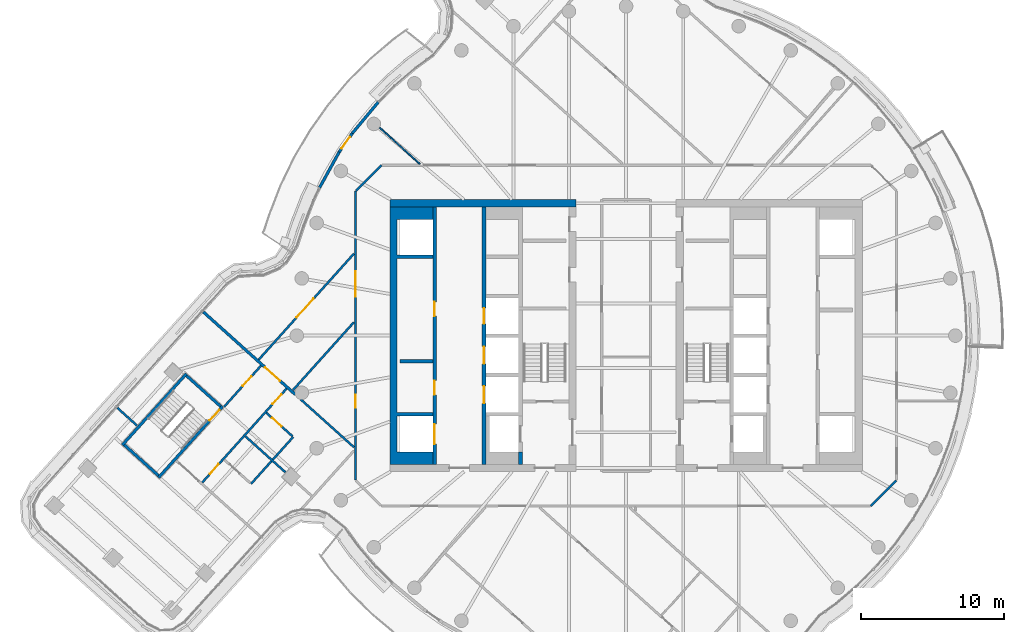
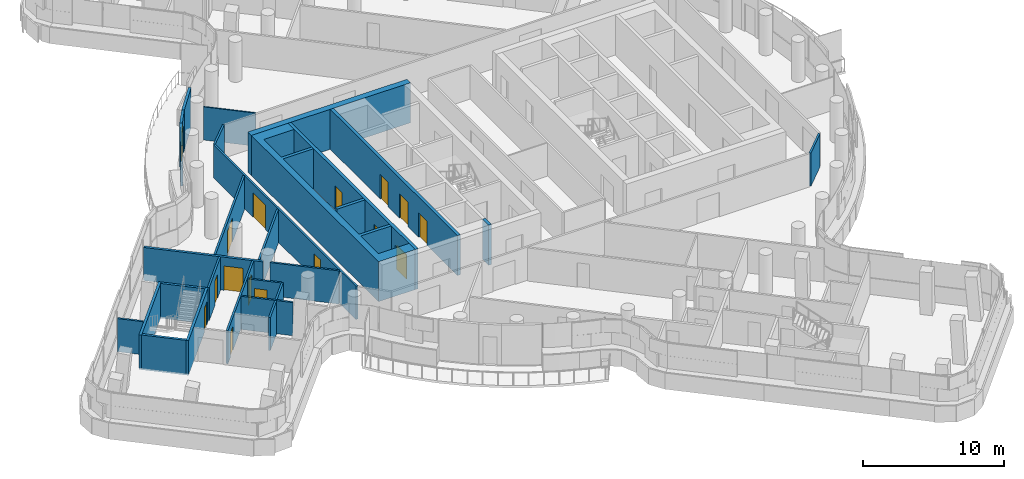
# One storey, part 20 of 31: 27 walls, 16 doors, 16 openings.
"""IFC4 building model written with IfcOpenShell, lengths in metres."""

from ifc_helpers import new_model, si_unit, direction, frame, frame_2d, origin, place, context, subcontext, project, spatial, polyline, rectangle, outline, extrude, material, layer, layer_set, type_object, element, fill, save


model = new_model("IFC4")

# Units and contexts
model_context = context("Model", 3, precision=1e-05, world=origin(), true_north=direction((0.0, 1.0)))
body_context = subcontext(model_context, "Body", "Model", "MODEL_VIEW")
ifc_project = project(units=[si_unit("LENGTHUNIT", "METRE"), si_unit("AREAUNIT", "SQUARE_METRE"), si_unit("VOLUMEUNIT", "CUBIC_METRE"), si_unit("PLANEANGLEUNIT", "RADIAN"), si_unit("MASSUNIT", "GRAM", prefix="KILO")], contexts=[model_context])

# Site, building, storey
site_placement = place(None, origin())
site = spatial("IfcSite", under=ifc_project, at=site_placement, CompositionType="ELEMENT")
building_placement = place(site_placement, origin())
building = spatial("IfcBuilding", under=site, at=building_placement, Name="Tamarind Cross Interchange Tower", CompositionType="ELEMENT")
storey_placement = place(building_placement, frame((0.0, 0.0, 207.699951171875)))
storey = spatial("IfcBuildingStorey", under=building, at=storey_placement, Name="L52", CompositionType="ELEMENT", Elevation=207.699951171875)

# Walls
ifc_material_1 = material(Name="Concrete C40", Category="concrete")
ifc_layer_1 = layer(ifc_material_1, 0.199951171875)
ifc_layer_set_1 = layer_set([ifc_layer_1], Name="Concrete C40")
wall_type_1 = type_object("IfcWallType", Name="Balcony and garden door wall", PredefinedType="SOLIDWALL", material=ifc_layer_set_1)
wall_1_placement = place(storey_placement, frame((-17.30419921875, 16.3154296875, 0.0), z_axis=(0.0, 0.0, 1.0), x_axis=(-0.640631790318, -0.767848233203, 0.0)))
element("IfcWall", 1, at=wall_1_placement, inside=storey, type_object=wall_type_1, Name="EXW-L52-10-D02L", PredefinedType="SOLIDWALL", context=body_context, shape_type="SweptSolid", body=[
    extrude(rectangle(XDim=2.843994140625, YDim=0.199951171875, at=frame_2d((1.421875, 0.0))), origin(), (0.0, 0.0, 1.0), 3.4599609375),
])
wall_2_placement = place(storey_placement, frame((-20.04150390625, 12.819580078125, 0.0), z_axis=(0.0, 0.0, 1.0), x_axis=(-0.482827762378, -0.87571533724, 0.0)))
element("IfcWall", 2, at=wall_2_placement, inside=storey, type_object=wall_type_1, Name="EXW-L52-10-D02R", PredefinedType="SOLIDWALL", context=body_context, shape_type="SweptSolid", body=[
    extrude(rectangle(XDim=2.8447265625, YDim=0.199951171875, at=frame_2d((1.42236328125, 0.0))), origin(), (0.0, 0.0, 1.0), 3.4599609375),
])

# Wall, opening, door
wall_3_placement = place(storey_placement, frame((-19.126220703125, 14.131591796875, 0.0), z_axis=(0.0, 0.0, 1.0), x_axis=(-0.572150562029, -0.820148605053, 0.0)))
wall_3 = element("IfcWall", 3, at=wall_3_placement, inside=storey, type_object=wall_type_1, Name="EXW-L52-10-D02", PredefinedType="SOLIDWALL", context=body_context, shape_type="SweptSolid", body=[
    extrude(rectangle(XDim=1.599609375, YDim=0.199951171875, at=frame_2d((0.7998046875, 0.0))), origin(), (0.0, 0.0, 1.0), 3.4599609375),
])
opening_1_placement = place(wall_3_placement, frame((0.2998046875, 0.0, 0.0)))
opening_1 = element("IfcOpeningElement", 4, at=opening_1_placement, cuts=wall_3, Name="Opening D2", PredefinedType="OPENING", context=body_context, shape_type="SweptSolid", body=[
    extrude(rectangle(XDim=1.0, YDim=2.39990234375, at=frame_2d((0.5, 1.199951171875))), frame((0.0, 0.10986328125, 0.0), z_axis=(0.0, -1.0, 0.0), x_axis=(1.0, 0.0, 0.0)), (0.0, 0.0, 1.0), 0.219970703125),
])
ifc_material_2 = material(Name="Aluminium and toughened glass", Category="aluminium")
door_type_1 = type_object("IfcDoorType", Name="Balcony and garden door", OperationType="SINGLE_SWING_LEFT", PredefinedType="DOOR", material=ifc_material_2)
door_1_placement = place(opening_1_placement, origin())
door_1 = element("IfcDoor", 5, at=door_1_placement, inside=storey, type_object=door_type_1, Name="DOR-L52-10-02", OperationType="SINGLE_SWING_LEFT", OverallHeight=2.39990234375, OverallWidth=1.0, PredefinedType="DOOR", context=body_context, shape_type="SweptSolid", body=[
    extrude(rectangle(XDim=1.0, YDim=2.39990234375, at=frame_2d((0.5, 1.199951171875))), frame((0.0, 0.02490234375, 0.0), z_axis=(0.0, -1.0, 0.0), x_axis=(1.0, 0.0, 0.0)), (0.0, 0.0, 1.0), 0.050048828125),
])
fill(opening_1, door_1)

# Walls
ifc_material_3 = material(Name="Concrete C55", Category="concrete")
ifc_layer_2 = layer(ifc_material_3, 0.5)
ifc_layer_set_2 = layer_set([ifc_layer_2], Name="Concrete C55")
wall_type_2 = type_object("IfcWallType", Name="Core wall 500 mm Concrete C55", PredefinedType="SHEAR", material=ifc_layer_set_2)
wall_4_placement = place(storey_placement, origin())
element("IfcWall", 6, at=wall_4_placement, inside=storey, type_object=wall_type_2, Name="Core wall CWL-L52-W-A", PredefinedType="SHEAR", context=body_context, shape_type="SweptSolid", body=[
    extrude(outline(polyline([(-13.5, -8.125), (-16.0, -8.125), (-16.0, -5.625), (-13.5, -5.625), (-13.5, -5.375), (-16.0, -5.375), (-16.0, 5.375), (-13.5, 5.375), (-13.5, 5.625), (-16.0, 5.625), (-16.0, 8.125), (-13.5, 8.125), (-13.5, 9.0), (-16.0, 9.0), (-16.5, 9.0), (-16.5, -9.0), (-16.0, -9.0), (-13.5, -9.0), (-13.5, -8.125)])), origin(), (0.0, 0.0, 1.0), 3.4599609375),
])
wall_5_placement = place(storey_placement, frame((-16.5, 9.25, 0.0), z_axis=(0.0, 0.0, 1.0), x_axis=(1.0, 0.0, 0.0)))
element("IfcWall", 7, at=wall_5_placement, inside=storey, type_object=wall_type_2, Name="Core wall CWL-L52-W-NE", PredefinedType="SHEAR", context=body_context, shape_type="SweptSolid", body=[
    extrude(rectangle(XDim=13.0, YDim=0.5, at=frame_2d((6.5, 0.0))), origin(), (0.0, 0.0, 1.0), 3.4599609375),
])
ifc_layer_3 = layer(ifc_material_3, 0.25)
ifc_layer_set_3 = layer_set([ifc_layer_3], Name="Concrete C55")
wall_type_3 = type_object("IfcWallType", Name="Core web wall 250 mm Concrete C55", PredefinedType="SHEAR", material=ifc_layer_set_3)
wall_6_placement = place(storey_placement, frame((-7.375, -9.0, 0.0), z_axis=(0.0, 0.0, 1.0), x_axis=(0.0, 1.0, 0.0)))
element("IfcWall", 8, at=wall_6_placement, inside=storey, type_object=wall_type_3, Name="Core wall CWL-L52-W-BW", PredefinedType="SHEAR", context=body_context, shape_type="SweptSolid", body=[
    extrude(rectangle(XDim=0.875, YDim=0.25, at=frame_2d((0.4375, 0.0))), origin(), (0.0, 0.0, 1.0), 3.4599609375),
])

# Wall, openings, doors
wall_7_placement = place(storey_placement, frame((-13.375, -9.0, 0.0), z_axis=(0.0, 0.0, 1.0), x_axis=(0.0, 1.0, 0.0)))
wall_7 = element("IfcWall", 9, at=wall_7_placement, inside=storey, type_object=wall_type_3, Name="Core wall CWL-L52-W-LA", PredefinedType="SHEAR", context=body_context, shape_type="SweptSolid", body=[
    extrude(rectangle(XDim=18.0, YDim=0.25, at=frame_2d((9.0, 0.0))), origin(), (0.0, 0.0, 1.0), 3.4599609375),
])
opening_2_placement = place(wall_7_placement, frame((1.425048828125, 0.0, 0.0)))
opening_2 = element("IfcOpeningElement", 10, at=opening_2_placement, cuts=wall_7, Name="Opening LD1L52", PredefinedType="OPENING", context=body_context, shape_type="SweptSolid", body=[
    extrude(rectangle(XDim=1.39990234375, YDim=2.10009765625, at=frame_2d((0.699951171875, 1.050048828125))), frame((0.0, 0.135009765625, 0.0), z_axis=(0.0, -1.0, 0.0), x_axis=(1.0, 0.0, 0.0)), (0.0, 0.0, 1.0), 0.27001953125),
])
opening_3_placement = place(wall_7_placement, frame((4.85400390625, 0.0, 0.0)))
opening_3 = element("IfcOpeningElement", 11, at=opening_3_placement, cuts=wall_7, Name="Opening DCW9", PredefinedType="OPENING", context=body_context, shape_type="SweptSolid", body=[
    extrude(rectangle(XDim=1.0, YDim=2.10009765625, at=frame_2d((0.5, 1.050048828125))), frame((0.0, 0.135009765625, 0.0), z_axis=(0.0, -1.0, 0.0), x_axis=(1.0, 0.0, 0.0)), (0.0, 0.0, 1.0), 0.27001953125),
])
opening_4_placement = place(wall_7_placement, frame((10.35400390625, 0.0, 0.0)))
opening_4 = element("IfcOpeningElement", 12, at=opening_4_placement, cuts=wall_7, Name="Opening DCW10", PredefinedType="OPENING", context=body_context, shape_type="SweptSolid", body=[
    extrude(rectangle(XDim=1.0, YDim=2.10009765625, at=frame_2d((0.5, 1.050048828125))), frame((0.0, 0.135009765625, 0.0), z_axis=(0.0, -1.0, 0.0), x_axis=(1.0, 0.0, 0.0)), (0.0, 0.0, 1.0), 0.27001953125),
])
ifc_material_4 = material(Name="Steel, fire-resisting", Category="steel")
door_type_2 = type_object("IfcDoorType", Name="Core fire door 1000 x 2100 FD90", OperationType="SINGLE_SWING_LEFT", PredefinedType="DOOR", material=ifc_material_4)
door_2_placement = place(opening_3_placement, origin())
door_2 = element("IfcDoor", 13, at=door_2_placement, inside=storey, type_object=door_type_2, Name="L52 Staff changing room door", OperationType="SINGLE_SWING_LEFT", OverallHeight=2.10009765625, OverallWidth=1.0, PredefinedType="DOOR", context=body_context, shape_type="SweptSolid", body=[
    extrude(rectangle(XDim=1.0, YDim=2.10009765625, at=frame_2d((0.5, 1.050048828125))), frame((0.0, 0.02490234375, 0.0), z_axis=(0.0, -1.0, 0.0), x_axis=(1.0, 0.0, 0.0)), (0.0, 0.0, 1.0), 0.050048828125),
])
fill(opening_3, door_2)
door_3_placement = place(opening_4_placement, origin())
door_3 = element("IfcDoor", 14, at=door_3_placement, inside=storey, type_object=door_type_2, Name="L52 Ice and vending room door", OperationType="SINGLE_SWING_LEFT", OverallHeight=2.10009765625, OverallWidth=1.0, PredefinedType="DOOR", context=body_context, shape_type="SweptSolid", body=[
    extrude(rectangle(XDim=1.0, YDim=2.10009765625, at=frame_2d((0.5, 1.050048828125))), frame((0.0, 0.02490234375, 0.0), z_axis=(0.0, -1.0, 0.0), x_axis=(1.0, 0.0, 0.0)), (0.0, 0.0, 1.0), 0.050048828125),
])
fill(opening_4, door_3)
ifc_material_5 = material(Name="Stainless steel panel", Category="steel")
door_type_3 = type_object("IfcDoorType", Name="Lift landing door 1400 x 2100 E 120", OperationType="SLIDING_TO_LEFT", PredefinedType="DOOR", material=ifc_material_5)
door_4_placement = place(opening_2_placement, origin())
door_4 = element("IfcDoor", 15, at=door_4_placement, inside=storey, type_object=door_type_3, Name="L52 landing door LF1", OperationType="SLIDING_TO_LEFT", OverallHeight=2.10009765625, OverallWidth=1.39990234375, PredefinedType="DOOR", context=body_context, shape_type="SweptSolid", body=[
    extrude(rectangle(XDim=1.39990234375, YDim=2.10009765625, at=frame_2d((0.699951171875, 1.050048828125))), frame((0.0, 0.02490234375, 0.0), z_axis=(0.0, -1.0, 0.0), x_axis=(1.0, 0.0, 0.0)), (0.0, 0.0, 1.0), 0.050048828125),
])
fill(opening_2, door_4)

wall_8_placement = place(storey_placement, frame((-9.925048828125, -9.0, 0.0), z_axis=(0.0, 0.0, 1.0), x_axis=(0.0, 1.0, 0.0)))
wall_8 = element("IfcWall", 16, at=wall_8_placement, inside=storey, type_object=wall_type_3, Name="Core wall CWL-L52-W-LB", PredefinedType="SHEAR", context=body_context, shape_type="SweptSolid", body=[
    extrude(rectangle(XDim=18.0, YDim=0.25, at=frame_2d((9.0, 0.0))), origin(), (0.0, 0.0, 1.0), 3.4599609375),
])
opening_5_placement = place(wall_8_placement, frame((4.27490234375, 0.0, 0.0)))
opening_5 = element("IfcOpeningElement", 17, at=opening_5_placement, cuts=wall_8, Name="Opening LD8L52", PredefinedType="OPENING", context=body_context, shape_type="SweptSolid", body=[
    extrude(rectangle(XDim=1.199951171875, YDim=2.10009765625, at=frame_2d((0.60009765625, 1.050048828125))), frame((0.0, 0.135009765625, 0.0), z_axis=(0.0, -1.0, 0.0), x_axis=(1.0, 0.0, 0.0)), (0.0, 0.0, 1.0), 0.27001953125),
])
opening_6_placement = place(wall_8_placement, frame((7.02490234375, 0.0, 0.0)))
opening_6 = element("IfcOpeningElement", 18, at=opening_6_placement, cuts=wall_8, Name="Opening LD9L52", PredefinedType="OPENING", context=body_context, shape_type="SweptSolid", body=[
    extrude(rectangle(XDim=1.199951171875, YDim=2.10009765625, at=frame_2d((0.60009765625, 1.050048828125))), frame((0.0, 0.135009765625, 0.0), z_axis=(0.0, -1.0, 0.0), x_axis=(1.0, 0.0, 0.0)), (0.0, 0.0, 1.0), 0.27001953125),
])
opening_7_placement = place(wall_8_placement, frame((9.824951171875, 0.0, 0.0)))
opening_7 = element("IfcOpeningElement", 19, at=opening_7_placement, cuts=wall_8, Name="Opening LD10L52", PredefinedType="OPENING", context=body_context, shape_type="SweptSolid", body=[
    extrude(rectangle(XDim=1.10009765625, YDim=2.10009765625, at=frame_2d((0.550048828125, 1.050048828125))), frame((0.0, 0.135009765625, 0.0), z_axis=(0.0, -1.0, 0.0), x_axis=(1.0, 0.0, 0.0)), (0.0, 0.0, 1.0), 0.27001953125),
])
door_type_4 = type_object("IfcDoorType", Name="Lift landing door 1100 x 2100 E 120", OperationType="SLIDING_TO_LEFT", PredefinedType="DOOR", material=ifc_material_5)
door_5_placement = place(opening_7_placement, origin())
door_5 = element("IfcDoor", 20, at=door_5_placement, inside=storey, type_object=door_type_4, Name="L52 landing door LF10", OperationType="SLIDING_TO_LEFT", OverallHeight=2.10009765625, OverallWidth=1.10009765625, PredefinedType="DOOR", context=body_context, shape_type="SweptSolid", body=[
    extrude(rectangle(XDim=1.10009765625, YDim=2.10009765625, at=frame_2d((0.550048828125, 1.050048828125))), frame((0.0, 0.02490234375, 0.0), z_axis=(0.0, -1.0, 0.0), x_axis=(1.0, 0.0, 0.0)), (0.0, 0.0, 1.0), 0.050048828125),
])
fill(opening_7, door_5)
door_type_5 = type_object("IfcDoorType", Name="Lift landing door 1200 x 2100 E 120", OperationType="SLIDING_TO_LEFT", PredefinedType="DOOR", material=ifc_material_5)
door_6_placement = place(opening_5_placement, origin())
door_6 = element("IfcDoor", 21, at=door_6_placement, inside=storey, type_object=door_type_5, Name="L52 landing door LF8", OperationType="SLIDING_TO_LEFT", OverallHeight=2.10009765625, OverallWidth=1.199951171875, PredefinedType="DOOR", context=body_context, shape_type="SweptSolid", body=[
    extrude(rectangle(XDim=1.199951171875, YDim=2.10009765625, at=frame_2d((0.60009765625, 1.050048828125))), frame((0.0, 0.02490234375, 0.0), z_axis=(0.0, -1.0, 0.0), x_axis=(1.0, 0.0, 0.0)), (0.0, 0.0, 1.0), 0.050048828125),
])
fill(opening_5, door_6)
door_7_placement = place(opening_6_placement, origin())
door_7 = element("IfcDoor", 22, at=door_7_placement, inside=storey, type_object=door_type_5, Name="L52 landing door LF9", OperationType="SLIDING_TO_LEFT", OverallHeight=2.10009765625, OverallWidth=1.199951171875, PredefinedType="DOOR", context=body_context, shape_type="SweptSolid", body=[
    extrude(rectangle(XDim=1.199951171875, YDim=2.10009765625, at=frame_2d((0.60009765625, 1.050048828125))), frame((0.0, 0.02490234375, 0.0), z_axis=(0.0, -1.0, 0.0), x_axis=(1.0, 0.0, 0.0)), (0.0, 0.0, 1.0), 0.050048828125),
])
fill(opening_6, door_7)

# Walls
ifc_material_6 = material(Name="Gypsum board partition on steel studs", Category="steel")
ifc_layer_4 = layer(ifc_material_6, 0.10009765625)
ifc_layer_set_4 = layer_set([ifc_layer_4], Name="Gypsum board partition on steel studs")
wall_type_4 = type_object("IfcWallType", Name="Partition 100 mm EI 120", PredefinedType="PARTITIONING", material=ifc_layer_set_4)
wall_9_placement = place(storey_placement, frame((-17.21728515625, 14.5234375, 0.0), z_axis=(0.0, 0.0, 1.0), x_axis=(0.743919147791, -0.668269632372, 0.0)))
element("IfcWall", 23, at=wall_9_placement, inside=storey, type_object=wall_type_4, Name="Partition L52-012", PredefinedType="PARTITIONING", context=body_context, shape_type="SweptSolid", body=[
    extrude(rectangle(XDim=3.78564453125, YDim=0.10009765625, at=frame_2d((1.892822265625, 0.0))), origin(), (0.0, 0.0, 1.0), 2.864013671875),
])
ifc_layer_5 = layer(ifc_material_6, 0.14990234375)
ifc_layer_set_5 = layer_set([ifc_layer_5], Name="Gypsum board partition on steel studs")
wall_type_5 = type_object("IfcWallType", Name="Partition 150 mm EI 120", PredefinedType="PARTITIONING", material=ifc_layer_set_5)
wall_10_placement = place(storey_placement, frame((-35.537841796875, -5.044189453125, 0.0), z_axis=(0.0, 0.0, 1.0), x_axis=(0.743796813973, -0.668405789565, 0.0)))
element("IfcWall", 24, at=wall_10_placement, inside=storey, type_object=wall_type_5, Name="Partition L52-004", PredefinedType="PARTITIONING", context=body_context, shape_type="SweptSolid", body=[
    extrude(rectangle(XDim=1.85888671875, YDim=0.14990234375, at=frame_2d((0.929443359375, 0.0))), origin(), (0.0, 0.0, 1.0), 2.864013671875),
])
wall_11_placement = place(storey_placement, frame((-22.7216796875, -4.4599609375, 0.0), z_axis=(0.0, 0.0, 1.0), x_axis=(0.743940554758, -0.668245801323, 0.0)))
element("IfcWall", 25, at=wall_11_placement, inside=storey, type_object=wall_type_5, Name="Partition L52-007", PredefinedType="PARTITIONING", context=body_context, shape_type="SweptSolid", body=[
    extrude(rectangle(XDim=4.992919921875, YDim=0.14990234375, at=frame_2d((2.49658203125, 0.0))), origin(), (0.0, 0.0, 1.0), 2.864013671875),
])
wall_12_placement = place(storey_placement, frame((-26.595458984375, -7.029541015625, 0.0), z_axis=(0.0, 0.0, 1.0), x_axis=(0.743787837413, -0.668415778477, 0.0)))
element("IfcWall", 26, at=wall_12_placement, inside=storey, type_object=wall_type_5, Name="Partition L52-009", PredefinedType="PARTITIONING", context=body_context, shape_type="SweptSolid", body=[
    extrude(rectangle(XDim=3.7607421875, YDim=0.14990234375, at=frame_2d((1.88037109375, 0.0))), origin(), (0.0, 0.0, 1.0), 2.864013671875),
])

# Wall, opening, door
wall_13_placement = place(storey_placement, frame((-25.12451171875, -5.3935546875, 0.0), z_axis=(0.0, 0.0, 1.0), x_axis=(0.743993991254, -0.668186307087, 0.0)))
wall_13 = element("IfcWall", 27, at=wall_13_placement, inside=storey, type_object=wall_type_5, Name="Partition L52-011", PredefinedType="PARTITIONING", context=body_context, shape_type="SweptSolid", body=[
    extrude(rectangle(XDim=2.4443359375, YDim=0.14990234375, at=frame_2d((1.22216796875, 0.0))), origin(), (0.0, 0.0, 1.0), 2.864013671875),
])
opening_8_placement = place(wall_13_placement, frame((0.52001953125, 0.0, 0.0)))
opening_8 = element("IfcOpeningElement", 28, at=opening_8_placement, cuts=wall_13, Name="Opening D05", PredefinedType="OPENING", context=body_context, shape_type="SweptSolid", body=[
    extrude(rectangle(XDim=0.89990234375, YDim=2.10009765625, at=frame_2d((0.449951171875, 1.050048828125))), frame((0.0, 0.0849609375, 0.0), z_axis=(0.0, -1.0, 0.0), x_axis=(1.0, 0.0, 0.0)), (0.0, 0.0, 1.0), 0.169921875),
])
ifc_material_7 = material(Name="Fire-resisting door set")
door_type_6 = type_object("IfcDoorType", Name="Interior door 900 x 2100 FD60S", OperationType="SINGLE_SWING_LEFT", PredefinedType="DOOR", material=ifc_material_7)
door_8_placement = place(opening_8_placement, frame((0.89990234375, 0.0, 0.0), z_axis=(0.0, 0.0, 1.0), x_axis=(-1.0, 0.0, 0.0)))
door_8 = element("IfcDoor", 29, at=door_8_placement, inside=storey, type_object=door_type_6, Name="Door D05", OperationType="SINGLE_SWING_LEFT", OverallHeight=2.10009765625, OverallWidth=0.89990234375, PredefinedType="DOOR", context=body_context, shape_type="SweptSolid", body=[
    extrude(rectangle(XDim=0.89990234375, YDim=2.10009765625, at=frame_2d((0.449951171875, 1.050048828125))), frame((0.0, 0.02490234375, 0.0), z_axis=(0.0, -1.0, 0.0), x_axis=(1.0, 0.0, 0.0)), (0.0, 0.0, 1.0), 0.050048828125),
])
fill(opening_8, door_8)

# Walls
for number, where, z_axis, x_axis, name in (
    (30, (-18.87158203125, 10.12841796875, 0.0), (0.0, 0.0, 1.0), (0.707106781187, 0.707106781187, 0.0), "Partition L52-036"),
    (31, (17.10009765625, -11.89990234375, 0.0), (0.0, 0.0, 1.0), (0.707106781187, 0.707106781187, 0.0), "Partition L52-037"),
):
    element("IfcWall", number, at=place(storey_placement, frame(where, z_axis=z_axis, x_axis=x_axis)), inside=storey, type_object=wall_type_5, Name=name, PredefinedType="PARTITIONING", context=body_context, shape_type="SweptSolid", body=[
        extrude(rectangle(XDim=2.50537109375, YDim=0.14990234375, at=frame_2d((1.252685546875, 0.0))), origin(), (0.0, 0.0, 1.0), 2.864013671875),
    ])

# Wall, openings, doors
wall_14_placement = place(storey_placement, frame((-29.6083984375, -10.263427734375, 0.0), z_axis=(0.0, 0.0, 1.0), x_axis=(0.668251718521, 0.743935239583, 0.0)))
wall_14 = element("IfcWall", 32, at=wall_14_placement, inside=storey, type_object=wall_type_5, Name="Partition L52-038", PredefinedType="PARTITIONING", context=body_context, shape_type="SweptSolid", body=[
    extrude(rectangle(XDim=8.8193359375, YDim=0.14990234375, at=frame_2d((4.40966796875, 0.0))), origin(), (0.0, 0.0, 1.0), 2.864013671875),
])
opening_9_placement = place(wall_14_placement, frame((7.369384765625, 0.0, 0.0)))
opening_9 = element("IfcOpeningElement", 33, at=opening_9_placement, cuts=wall_14, Name="Opening D25", PredefinedType="OPENING", context=body_context, shape_type="SweptSolid", body=[
    extrude(rectangle(XDim=0.89990234375, YDim=2.10009765625, at=frame_2d((0.449951171875, 1.050048828125))), frame((0.0, 0.0849609375, 0.0), z_axis=(0.0, -1.0, 0.0), x_axis=(1.0, 0.0, 0.0)), (0.0, 0.0, 1.0), 0.169921875),
])
opening_10_placement = place(wall_14_placement, frame((0.820068359375, 0.0, 0.0)))
opening_10 = element("IfcOpeningElement", 34, at=opening_10_placement, cuts=wall_14, Name="Opening D26", PredefinedType="OPENING", context=body_context, shape_type="SweptSolid", body=[
    extrude(rectangle(XDim=0.89990234375, YDim=2.10009765625, at=frame_2d((0.449951171875, 1.050048828125))), frame((0.0, 0.0849609375, 0.0), z_axis=(0.0, -1.0, 0.0), x_axis=(1.0, 0.0, 0.0)), (0.0, 0.0, 1.0), 0.169921875),
])
door_9_placement = place(opening_9_placement, frame((0.89990234375, 0.0, 0.0), z_axis=(0.0, 0.0, 1.0), x_axis=(-1.0, 0.0, 0.0)))
door_9 = element("IfcDoor", 35, at=door_9_placement, inside=storey, type_object=door_type_6, Name="Door D25", OperationType="SINGLE_SWING_RIGHT", OverallHeight=2.10009765625, OverallWidth=0.89990234375, PredefinedType="DOOR", context=body_context, shape_type="SweptSolid", body=[
    extrude(rectangle(XDim=0.89990234375, YDim=2.10009765625, at=frame_2d((0.449951171875, 1.050048828125))), frame((0.0, 0.02490234375, 0.0), z_axis=(0.0, -1.0, 0.0), x_axis=(1.0, 0.0, 0.0)), (0.0, 0.0, 1.0), 0.050048828125),
])
fill(opening_9, door_9)
door_10_placement = place(opening_10_placement, frame((0.89990234375, 0.0, 0.0), z_axis=(0.0, 0.0, 1.0), x_axis=(-1.0, 0.0, 0.0)))
door_10 = element("IfcDoor", 36, at=door_10_placement, inside=storey, type_object=door_type_6, Name="Door D26", OperationType="SINGLE_SWING_LEFT", OverallHeight=2.10009765625, OverallWidth=0.89990234375, PredefinedType="DOOR", context=body_context, shape_type="SweptSolid", body=[
    extrude(rectangle(XDim=0.89990234375, YDim=2.10009765625, at=frame_2d((0.449951171875, 1.050048828125))), frame((0.0, 0.02490234375, 0.0), z_axis=(0.0, -1.0, 0.0), x_axis=(1.0, 0.0, 0.0)), (0.0, 0.0, 1.0), 0.050048828125),
])
fill(opening_10, door_10)

# Wall, opening, door
wall_15_placement = place(storey_placement, frame((-28.078369140625, -4.97021484375, 0.0), z_axis=(0.0, 0.0, 1.0), x_axis=(0.668366899889, 0.743831759965, 0.0)))
wall_15 = element("IfcWall", 37, at=wall_15_placement, inside=storey, type_object=wall_type_5, Name="Partition L52-039", PredefinedType="PARTITIONING", context=body_context, shape_type="SweptSolid", body=[
    extrude(rectangle(XDim=3.859619140625, YDim=0.14990234375, at=frame_2d((1.9296875, 0.0))), origin(), (0.0, 0.0, 1.0), 2.864013671875),
])
opening_11_placement = place(wall_15_placement, frame((1.949951171875, 0.0, 0.0)))
opening_11 = element("IfcOpeningElement", 38, at=opening_11_placement, cuts=wall_15, Name="Opening D27", PredefinedType="OPENING", context=body_context, shape_type="SweptSolid", body=[
    extrude(rectangle(XDim=0.89990234375, YDim=2.10009765625, at=frame_2d((0.449951171875, 1.050048828125))), frame((0.0, 0.0849609375, 0.0), z_axis=(0.0, -1.0, 0.0), x_axis=(1.0, 0.0, 0.0)), (0.0, 0.0, 1.0), 0.169921875),
])
door_11_placement = place(opening_11_placement, origin())
door_11 = element("IfcDoor", 39, at=door_11_placement, inside=storey, type_object=door_type_6, Name="Door D27", OperationType="SINGLE_SWING_LEFT", OverallHeight=2.10009765625, OverallWidth=0.89990234375, PredefinedType="DOOR", context=body_context, shape_type="SweptSolid", body=[
    extrude(rectangle(XDim=0.89990234375, YDim=2.10009765625, at=frame_2d((0.449951171875, 1.050048828125))), frame((0.0, 0.02490234375, 0.0), z_axis=(0.0, -1.0, 0.0), x_axis=(1.0, 0.0, 0.0)), (0.0, 0.0, 1.0), 0.050048828125),
])
fill(opening_11, door_11)

# Wall
wall_16_placement = place(storey_placement, frame((-26.19091796875, -10.35009765625, 0.0), z_axis=(0.0, 0.0, 1.0), x_axis=(0.66834223487, 0.743853921875, 0.0)))
element("IfcWall", 40, at=wall_16_placement, inside=storey, type_object=wall_type_5, Name="Partition L52-040", PredefinedType="PARTITIONING", context=body_context, shape_type="SweptSolid", body=[
    extrude(rectangle(XDim=4.400390625, YDim=0.14990234375, at=frame_2d((2.2001953125, 0.0))), origin(), (0.0, 0.0, 1.0), 2.864013671875),
])

# Wall, opening, door
wall_17_placement = place(storey_placement, frame((-25.6630859375, -1.6826171875, 0.0), z_axis=(0.0, 0.0, 1.0), x_axis=(0.668369322351, 0.743829583265, 0.0)))
wall_17 = element("IfcWall", 41, at=wall_17_placement, inside=storey, type_object=wall_type_5, Name="Partition L52-041", PredefinedType="PARTITIONING", context=body_context, shape_type="SweptSolid", body=[
    extrude(rectangle(XDim=9.94873046875, YDim=0.14990234375, at=frame_2d((4.974365234375, 0.0))), origin(), (0.0, 0.0, 1.0), 2.864013671875),
])
opening_12_placement = place(wall_17_placement, frame((3.949951171875, 0.0, 0.0)))
opening_12 = element("IfcOpeningElement", 42, at=opening_12_placement, cuts=wall_17, Name="Opening D28", PredefinedType="OPENING", context=body_context, shape_type="SweptSolid", body=[
    extrude(rectangle(XDim=1.800048828125, YDim=2.10009765625, at=frame_2d((0.89990234375, 1.050048828125))), frame((0.0, 0.0849609375, 0.0), z_axis=(0.0, -1.0, 0.0), x_axis=(1.0, 0.0, 0.0)), (0.0, 0.0, 1.0), 0.169921875),
])
door_type_7 = type_object("IfcDoorType", Name="Interior door 1800 x 2100 FD60S", OperationType="DOUBLE_DOOR_SINGLE_SWING", PredefinedType="DOOR", material=ifc_material_7)
door_12_placement = place(opening_12_placement, origin())
door_12 = element("IfcDoor", 43, at=door_12_placement, inside=storey, type_object=door_type_7, Name="Door D28", OperationType="DOUBLE_DOOR_SINGLE_SWING", OverallHeight=2.10009765625, OverallWidth=1.800048828125, PredefinedType="DOOR", context=body_context, shape_type="SweptSolid", body=[
    extrude(rectangle(XDim=1.800048828125, YDim=2.10009765625, at=frame_2d((0.89990234375, 1.050048828125))), frame((0.0, 0.02490234375, 0.0), z_axis=(0.0, -1.0, 0.0), x_axis=(1.0, 0.0, 0.0)), (0.0, 0.0, 1.0), 0.050048828125),
])
fill(opening_12, door_12)

# Wall
wall_18_placement = place(storey_placement, frame((-23.269775390625, -3.806640625, 0.0), z_axis=(0.0, 0.0, 1.0), x_axis=(0.668392601197, 0.74380866536, 0.0)))
element("IfcWall", 44, at=wall_18_placement, inside=storey, type_object=wall_type_5, Name="Partition L52-042", PredefinedType="PARTITIONING", context=body_context, shape_type="SweptSolid", body=[
    extrude(rectangle(XDim=6.36767578125, YDim=0.14990234375, at=frame_2d((3.183837890625, 0.0))), origin(), (0.0, 0.0, 1.0), 2.864013671875),
])

# Wall, openings, doors
wall_19_placement = place(storey_placement, frame((-18.89990234375, -10.10009765625, 0.0), z_axis=(0.0, 0.0, 1.0), x_axis=(0.0, 1.0, 0.0)))
wall_19 = element("IfcWall", 45, at=wall_19_placement, inside=storey, type_object=wall_type_5, Name="Partition L52-066", PredefinedType="PARTITIONING", context=body_context, shape_type="SweptSolid", body=[
    extrude(rectangle(XDim=20.2001953125, YDim=0.14990234375, at=frame_2d((10.10009765625, 0.0))), origin(), (0.0, 0.0, 1.0), 2.864013671875),
])
opening_13_placement = place(wall_19_placement, frame((12.805908203125, 0.0, 0.0)))
opening_13 = element("IfcOpeningElement", 46, at=opening_13_placement, cuts=wall_19, Name="Opening D38", PredefinedType="OPENING", context=body_context, shape_type="SweptSolid", body=[
    extrude(rectangle(XDim=1.800048828125, YDim=2.10009765625, at=frame_2d((0.89990234375, 1.050048828125))), frame((0.0, 0.0849609375, 0.0), z_axis=(0.0, -1.0, 0.0), x_axis=(1.0, 0.0, 0.0)), (0.0, 0.0, 1.0), 0.169921875),
])
opening_14_placement = place(wall_19_placement, frame((5.055908203125, 0.0, 0.0)))
opening_14 = element("IfcOpeningElement", 47, at=opening_14_placement, cuts=wall_19, Name="Opening D39", PredefinedType="OPENING", context=body_context, shape_type="SweptSolid", body=[
    extrude(rectangle(XDim=0.89990234375, YDim=2.10009765625, at=frame_2d((0.449951171875, 1.050048828125))), frame((0.0, 0.0849609375, 0.0), z_axis=(0.0, -1.0, 0.0), x_axis=(1.0, 0.0, 0.0)), (0.0, 0.0, 1.0), 0.169921875),
])
door_13_placement = place(opening_13_placement, frame((1.800048828125, 0.0, 0.0), z_axis=(0.0, 0.0, 1.0), x_axis=(-1.0, 0.0, 0.0)))
door_13 = element("IfcDoor", 48, at=door_13_placement, inside=storey, type_object=door_type_7, Name="Door D38", OperationType="DOUBLE_DOOR_SINGLE_SWING", OverallHeight=2.10009765625, OverallWidth=1.800048828125, PredefinedType="DOOR", context=body_context, shape_type="SweptSolid", body=[
    extrude(rectangle(XDim=1.800048828125, YDim=2.10009765625, at=frame_2d((0.89990234375, 1.050048828125))), frame((0.0, 0.02490234375, 0.0), z_axis=(0.0, -1.0, 0.0), x_axis=(1.0, 0.0, 0.0)), (0.0, 0.0, 1.0), 0.050048828125),
])
fill(opening_13, door_13)
door_14_placement = place(opening_14_placement, origin())
door_14 = element("IfcDoor", 49, at=door_14_placement, inside=storey, type_object=door_type_6, Name="Door D39", OperationType="SINGLE_SWING_RIGHT", OverallHeight=2.10009765625, OverallWidth=0.89990234375, PredefinedType="DOOR", context=body_context, shape_type="SweptSolid", body=[
    extrude(rectangle(XDim=0.89990234375, YDim=2.10009765625, at=frame_2d((0.449951171875, 1.050048828125))), frame((0.0, 0.02490234375, 0.0), z_axis=(0.0, -1.0, 0.0), x_axis=(1.0, 0.0, 0.0)), (0.0, 0.0, 1.0), 0.050048828125),
])
fill(opening_14, door_14)

# Wall, opening, door
ifc_layer_6 = layer(ifc_material_6, 0.199951171875)
ifc_layer_set_6 = layer_set([ifc_layer_6], Name="Gypsum board partition on steel studs")
wall_type_6 = type_object("IfcWallType", Name="Partition 200 mm EI 180", PredefinedType="PARTITIONING", material=ifc_layer_set_6)
wall_20_placement = place(storey_placement, frame((-29.523193359375, 1.650146484375, 0.0), z_axis=(0.0, 0.0, 1.0), x_axis=(0.743912674532, -0.668276838346, 0.0)))
wall_20 = element("IfcWall", 50, at=wall_20_placement, inside=storey, type_object=wall_type_6, Name="Partition L52-006", PredefinedType="PARTITIONING", context=body_context, shape_type="SweptSolid", body=[
    extrude(rectangle(XDim=8.63134765625, YDim=0.199951171875, at=frame_2d((4.315673828125, 0.0))), origin(), (0.0, 0.0, 1.0), 2.864013671875),
])
opening_15_placement = place(wall_20_placement, frame((5.799560546875, 0.0, 0.0)))
opening_15 = element("IfcOpeningElement", 51, at=opening_15_placement, cuts=wall_20, Name="Opening D03", PredefinedType="OPENING", context=body_context, shape_type="SweptSolid", body=[
    extrude(rectangle(XDim=1.39990234375, YDim=2.10009765625, at=frame_2d((0.699951171875, 1.050048828125))), frame((0.0, 0.10986328125, 0.0), z_axis=(0.0, -1.0, 0.0), x_axis=(1.0, 0.0, 0.0)), (0.0, 0.0, 1.0), 0.219970703125),
])
door_type_8 = type_object("IfcDoorType", Name="Interior door 1400 x 2100 FD120S", OperationType="DOUBLE_DOOR_SINGLE_SWING", PredefinedType="DOOR", material=ifc_material_7)
door_15_placement = place(opening_15_placement, origin())
door_15 = element("IfcDoor", 52, at=door_15_placement, inside=storey, type_object=door_type_8, Name="Door D03", OperationType="DOUBLE_DOOR_SINGLE_SWING", OverallHeight=2.10009765625, OverallWidth=1.39990234375, PredefinedType="DOOR", context=body_context, shape_type="SweptSolid", body=[
    extrude(rectangle(XDim=1.39990234375, YDim=2.10009765625, at=frame_2d((0.699951171875, 1.050048828125))), frame((0.0, 0.02490234375, 0.0), z_axis=(0.0, -1.0, 0.0), x_axis=(1.0, 0.0, 0.0)), (0.0, 0.0, 1.0), 0.050048828125),
])
fill(opening_15, door_15)

# Wall
ifc_layer_7 = layer(ifc_material_1, 0.25)
ifc_layer_set_7 = layer_set([ifc_layer_7], Name="Concrete C40")
wall_type_7 = type_object("IfcWallType", Name="Shaft and lobby wall 250 mm Concrete C40", PredefinedType="PARTITIONING", material=ifc_layer_set_7)
wall_21_placement = place(storey_placement, frame((-15.800048828125, -1.7919921875, 0.0), z_axis=(0.0, 0.0, 1.0), x_axis=(1.0, 0.0, 0.0)))
element("IfcWall", 53, at=wall_21_placement, inside=storey, type_object=wall_type_7, Name="Shaft wall CWL-L52-W-FPA1", PredefinedType="PARTITIONING", context=body_context, shape_type="SweptSolid", body=[
    extrude(rectangle(XDim=2.300048828125, YDim=0.25, at=frame_2d((1.14990234375, 0.0))), origin(), (0.0, 0.0, 1.0), 3.4599609375),
])

# Wall, opening, door
ifc_layer_8 = layer(ifc_material_1, 0.199951171875)
ifc_layer_set_8 = layer_set([ifc_layer_8], Name="Concrete C40")
wall_type_8 = type_object("IfcWallType", Name="Stair shaft wall 200 mm Concrete C40", PredefinedType="SHEAR", material=ifc_layer_set_8)
wall_22_placement = place(storey_placement, frame((-28.18017578125, -4.93310546875, -0.139892578125), z_axis=(0.0, 0.0, 1.0), x_axis=(-0.66832831342, -0.743866429865, 0.0)))
wall_22 = element("IfcWall", 54, at=wall_22_placement, inside=storey, type_object=wall_type_8, Name="Core wall CWL-L52-ST5-H", PredefinedType="SHEAR", context=body_context, shape_type="SweptSolid", body=[
    extrude(rectangle(XDim=6.699951171875, YDim=0.199951171875, at=frame_2d((3.35009765625, 0.0))), origin(), (0.0, 0.0, 1.0), 3.00390625),
])
opening_16_placement = place(wall_22_placement, frame((0.35009765625, 0.0, 0.0)))
opening_16 = element("IfcOpeningElement", 55, at=opening_16_placement, cuts=wall_22, Name="Opening ST5L52", PredefinedType="OPENING", context=body_context, shape_type="SweptSolid", body=[
    extrude(rectangle(XDim=1.0, YDim=2.10009765625, at=frame_2d((0.5, 1.050048828125))), frame((0.0, 0.10986328125, 0.0), z_axis=(0.0, -1.0, 0.0), x_axis=(1.0, 0.0, 0.0)), (0.0, 0.0, 1.0), 0.219970703125),
])
door_16_placement = place(opening_16_placement, origin())
door_16 = element("IfcDoor", 56, at=door_16_placement, inside=storey, type_object=door_type_2, Name="L52 stair door ST5", OperationType="SINGLE_SWING_LEFT", OverallHeight=2.10009765625, OverallWidth=1.0, PredefinedType="DOOR", context=body_context, shape_type="SweptSolid", body=[
    extrude(rectangle(XDim=1.0, YDim=2.10009765625, at=frame_2d((0.5, 1.050048828125))), frame((0.0, 0.02490234375, 0.0), z_axis=(0.0, -1.0, 0.0), x_axis=(1.0, 0.0, 0.0)), (0.0, 0.0, 1.0), 0.050048828125),
])
fill(opening_16, door_16)

# Walls
wall_23_placement = place(storey_placement, frame((-30.709228515625, -2.660888671875, -0.139892578125), z_axis=(0.0, 0.0, 1.0), x_axis=(-0.66832831342, -0.743866429865, 0.0)))
element("IfcWall", 57, at=wall_23_placement, inside=storey, type_object=wall_type_8, Name="Core wall CWL-L52-ST5-C", PredefinedType="SHEAR", context=body_context, shape_type="SweptSolid", body=[
    extrude(rectangle(XDim=6.699951171875, YDim=0.199951171875, at=frame_2d((3.35009765625, 0.0))), origin(), (0.0, 0.0, 1.0), 3.00390625),
])
wall_24_placement = place(storey_placement, frame((-30.70166015625, -2.802001953125, -0.139892578125), z_axis=(0.0, 0.0, 1.0), x_axis=(0.743824989784, -0.66837443441, 0.0)))
element("IfcWall", 58, at=wall_24_placement, inside=storey, type_object=wall_type_8, Name="Core wall CWL-L52-ST5-CE", PredefinedType="SHEAR", context=body_context, shape_type="SweptSolid", body=[
    extrude(rectangle(XDim=3.2001953125, YDim=0.199951171875, at=frame_2d((1.60009765625, 0.0))), origin(), (0.0, 0.0, 1.0), 3.00390625),
])
wall_25_placement = place(storey_placement, frame((0.0, 0.0, -0.139892578125)))
element("IfcWall", 59, at=wall_25_placement, inside=storey, type_object=wall_type_8, Name="Core wall CWL-L52-ST5-CF", PredefinedType="SHEAR", context=body_context, shape_type="SweptSolid", body=[
    extrude(outline(polyline([(-34.97900390625, -7.562744140625), (-35.11279296875, -7.71142578125), (-32.732421875, -9.85009765625), (-32.5986328125, -9.701416015625), (-34.97900390625, -7.562744140625)])), origin(), (0.0, 0.0, 1.0), 3.00390625),
])

save(model, "model.ifc")
